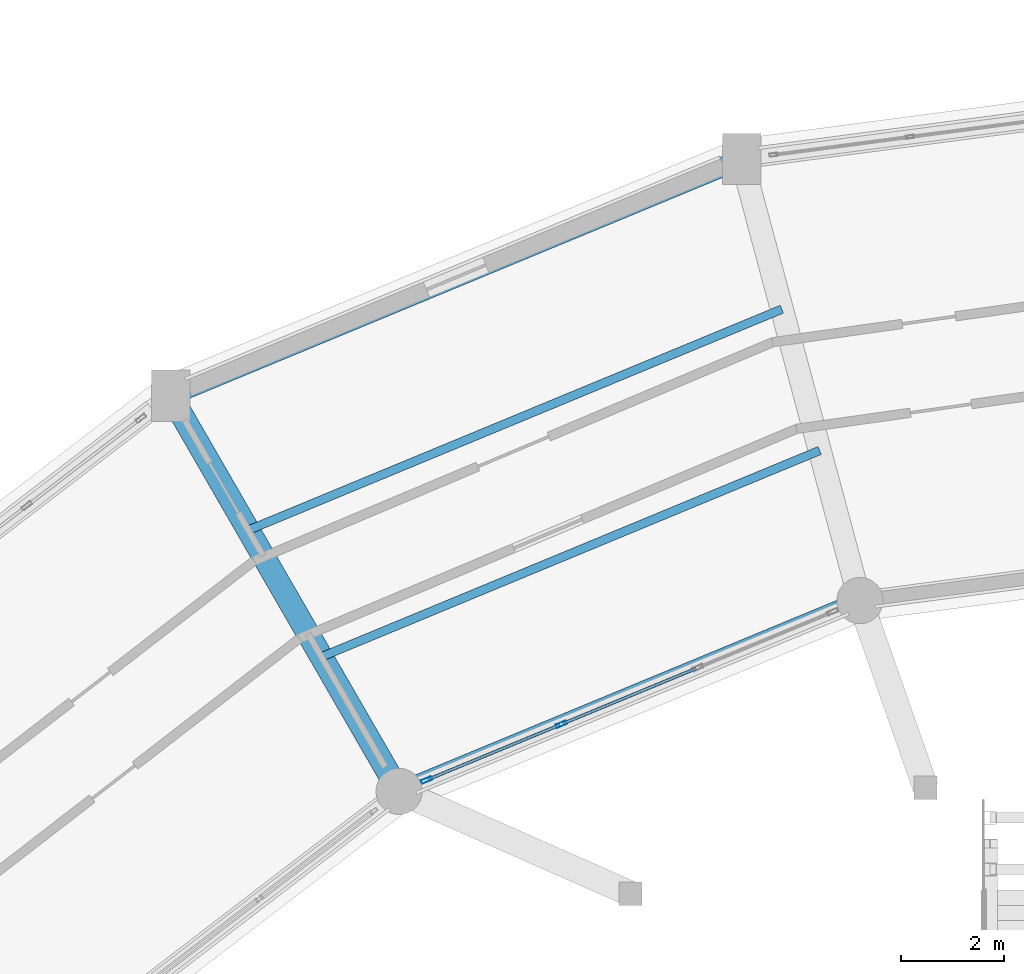
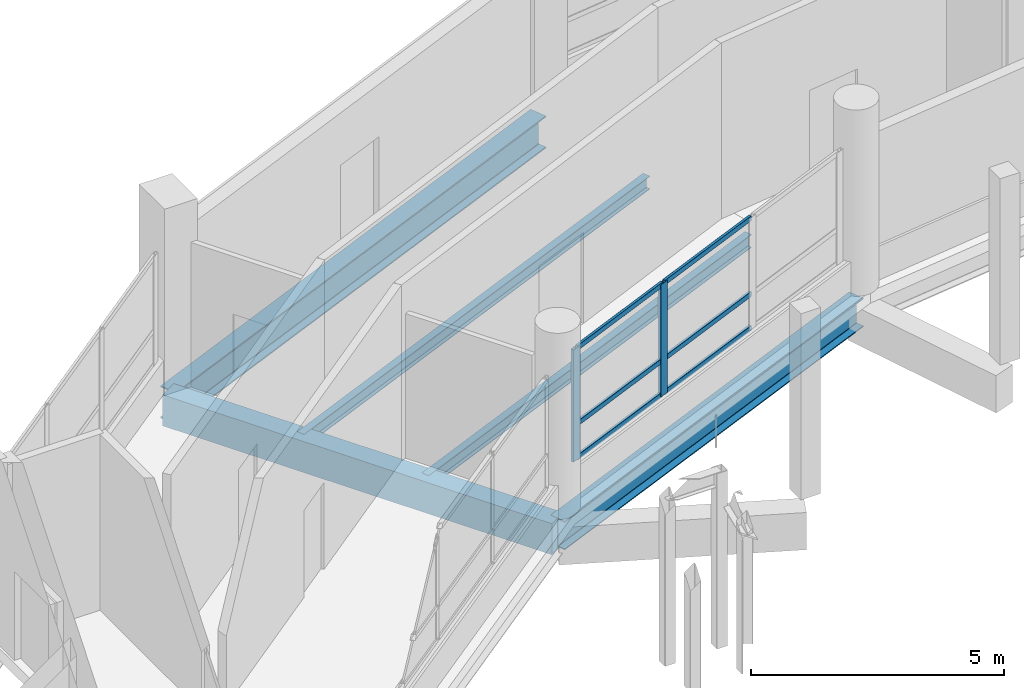
# One storey, part 55 of 129: 8 members, 5 beams, 1 element without a shape of its own.
"""IFC4 building model written with IfcOpenShell, lengths in metres."""

from ifc_helpers import new_model, si_unit, direction, frame, origin, origin_2d, place, context, subcontext, project, spatial, rectangle, hollow_rectangle, i_section, extrude, material, layer, layer_set, material_profile, profile_set, type_object, element, aggregate, save


model = new_model("IFC4")

# Units and contexts
model_context = context("Model", 3, precision=1e-05, world=origin(), true_north=direction((0.0, 1.0)))
body_context = subcontext(model_context, "Body", "Model", "MODEL_VIEW")
ifc_project = project(units=[si_unit("LENGTHUNIT", "METRE"), si_unit("AREAUNIT", "SQUARE_METRE"), si_unit("VOLUMEUNIT", "CUBIC_METRE"), si_unit("PLANEANGLEUNIT", "RADIAN"), si_unit("MASSUNIT", "GRAM", prefix="KILO")], contexts=[model_context])

# Site, building, storey
site_placement = place(None, origin())
site = spatial("IfcSite", under=ifc_project, at=site_placement, CompositionType="ELEMENT")
building_placement = place(site_placement, origin())
building = spatial("IfcBuilding", under=site, at=building_placement, Name="Vespera Passage Community Centre", CompositionType="ELEMENT")
storey_placement = place(building_placement, origin())
storey = spatial("IfcBuildingStorey", under=building, at=storey_placement, Name="L00", CompositionType="ELEMENT", Elevation=0.0)

# Beams
ifc_material_1 = material(Name="Concrete f'c 35 MPa", Category="concrete")
ifc_material_profile_1 = material_profile(ifc_material_1, rectangle(XDim=0.449951171875, YDim=0.75, at=origin_2d()), Name="RC450X750")
ifc_profile_set_1 = profile_set([ifc_material_profile_1], Name="Concrete f'c 35 MPa")
beam_type_1 = type_object("IfcBeamType", Name="BM-G-450X750", PredefinedType="BEAM", material=ifc_profile_set_1)
beam_1_placement = place(storey_placement, frame((59.39990234375, 97.716064453125, -0.655029296875), z_axis=(-0.499989191739, 0.866031643847, 0.0), x_axis=(-0.866031643847, -0.499989191739, 0.0)))
element("IfcBeam", 1, at=beam_1_placement, inside=storey, type_object=beam_type_1, Name="V4 L00 Radial Girder 8", PredefinedType="BEAM", context=body_context, shape_type="SweptSolid", body=[
    extrude(rectangle(XDim=0.449951171875, YDim=0.75, at=origin_2d()), origin(), (0.0, 0.0, 1.0), 8.900146484375),
])
ifc_material_2 = material(Name="Steel ASTM A992 Grade 50", Category="steel")
ifc_material_profile_2 = material_profile(ifc_material_2, i_section(OverallWidth=0.16650390625, OverallDepth=0.3173828125, WebThickness=0.007568359375, FlangeThickness=0.01318359375, FilletRadius=0.007568359375, at=origin_2d()), Name="W12X35")
ifc_profile_set_2 = profile_set([ifc_material_profile_2], Name="Steel ASTM A992 Grade 50")
beam_type_2 = type_object("IfcBeamType", Name="BM-J-W12X35", PredefinedType="JOIST", material=ifc_profile_set_2)
beam_2_placement = place(storey_placement, frame((67.588623046875, 104.355224609375, -0.438720703125), z_axis=(-0.92387968492, -0.382683064417, 0.0), x_axis=(0.382683064417, -0.92387968492, 0.0)))
element("IfcBeam", 2, at=beam_2_placement, inside=storey, type_object=beam_type_2, Name="V4 L00 Floor Joist 7.1", PredefinedType="JOIST", context=body_context, shape_type="SweptSolid", body=[
    extrude(i_section(OverallWidth=0.16650390625, OverallDepth=0.3173828125, WebThickness=0.007568359375, FlangeThickness=0.01318359375, FilletRadius=0.007568359375, at=origin_2d()), origin(), (0.0, 0.0, 1.0), 10.5009765625),
])
beam_3_placement = place(storey_placement, frame((66.8515625, 107.106201171875, -0.438720703125), z_axis=(-0.923884257257, -0.38267202562, 0.0), x_axis=(0.38267202562, -0.923884257257, 0.0)))
element("IfcBeam", 3, at=beam_3_placement, inside=storey, type_object=beam_type_2, Name="V4 L00 Floor Joist 7.2", PredefinedType="JOIST", context=body_context, shape_type="SweptSolid", body=[
    extrude(i_section(OverallWidth=0.16650390625, OverallDepth=0.3173828125, WebThickness=0.007568359375, FlangeThickness=0.01318359375, FilletRadius=0.007568359375, at=origin_2d()), origin(), (0.0, 0.0, 1.0), 11.24462890625),
])
ifc_material_3 = material(Name="Steel ASTM A992 Grade 50", Category="steel")
ifc_material_profile_3 = material_profile(ifc_material_3, i_section(OverallWidth=0.3544921875, OverallDepth=0.695556640625, WebThickness=0.015380859375, FlangeThickness=0.024658203125, FilletRadius=0.01513671875, at=origin_2d()), Name="W27X146")
ifc_profile_set_3 = profile_set([ifc_material_profile_3], Name="Steel ASTM A992 Grade 50")
beam_type_3 = type_object("IfcBeamType", Name="BM-SP-W27X146E", PredefinedType="SPANDREL", material=ifc_profile_set_3)
beam_4_placement = place(storey_placement, frame((68.371826171875, 101.432373046875, -0.627685546875), z_axis=(-0.923878947685, -0.382684844258, 0.0), x_axis=(0.382684844258, -0.923878947685, 0.0)))
element("IfcBeam", 4, at=beam_4_placement, inside=storey, type_object=beam_type_3, Name="V4 L00 Inner Spandrel 7", PredefinedType="SPANDREL", context=body_context, shape_type="SweptSolid", body=[
    extrude(i_section(OverallWidth=0.3544921875, OverallDepth=0.695556640625, WebThickness=0.015380859375, FlangeThickness=0.024658203125, FilletRadius=0.01513671875, at=origin_2d()), origin(), (0.0, 0.0, 1.0), 9.711181640625),
])
ifc_material_4 = material(Name="Steel ASTM A992 Grade 50", Category="steel")
ifc_material_profile_4 = material_profile(ifc_material_4, i_section(OverallWidth=0.382080078125, OverallDepth=0.779296875, WebThickness=0.01806640625, FlangeThickness=0.030029296875, FilletRadius=0.0166015625, at=origin_2d()), Name="W30X191")
ifc_profile_set_4 = profile_set([ifc_material_profile_4], Name="Steel ASTM A992 Grade 50")
beam_type_4 = type_object("IfcBeamType", Name="BM-SP-W30X191E", PredefinedType="SPANDREL", material=ifc_profile_set_4)
beam_5_placement = place(storey_placement, frame((66.068359375, 110.029296875, -0.669677734375), z_axis=(-0.923877379647, -0.382688629799, 0.0), x_axis=(0.382688629799, -0.923877379647, 0.0)))
element("IfcBeam", 5, at=beam_5_placement, inside=storey, type_object=beam_type_4, Name="V4 L00 Outer Spandrel 7", PredefinedType="SPANDREL", context=body_context, shape_type="SweptSolid", body=[
    extrude(i_section(OverallWidth=0.382080078125, OverallDepth=0.779296875, WebThickness=0.01806640625, FlangeThickness=0.030029296875, FilletRadius=0.0166015625, at=origin_2d()), origin(), (0.0, 0.0, 1.0), 12.034423828125),
])

# Curtain wall, members
ifc_material_5 = material(Name="Anodized aluminium 6063-T6", Category="aluminium")
ifc_layer = layer(ifc_material_5, 0.159912109375)
ifc_layer_set = layer_set([ifc_layer], Name="Anodized aluminium 6063-T6")
curtain_wall_type = type_object("IfcCurtainWallType", Name="CW-02E", PredefinedType="NOTDEFINED", material=ifc_layer_set)
curtain_wall_placement = place(storey_placement, origin())
curtain_wall = element("IfcCurtainWall", 6, at=curtain_wall_placement, inside=storey, type_object=curtain_wall_type, Name="V4 L00 Inner Court Curtain Wall 7", PredefinedType="NOTDEFINED")
ifc_material_6 = material(Name="Anodized aluminium 6063-T6", Category="aluminium")
ifc_material_profile_5 = material_profile(ifc_material_6, hollow_rectangle(XDim=0.074951171875, YDim=0.2099609375, WallThickness=0.0048828125, InnerFilletRadius=0.00244140625, OuterFilletRadius=0.0048828125, at=origin_2d()), Name="ALU210X75X5")
ifc_profile_set_5 = profile_set([ifc_material_profile_5], Name="Anodized aluminium 6063-T6")
member_type_1 = type_object("IfcMemberType", Name="MB-CWM-210E", PredefinedType="MULLION", material=ifc_profile_set_5)
member_1_placement = place(storey_placement, frame((62.556884765625, 99.023681640625, 0.820068359375), z_axis=(0.0, 0.0, 1.0), x_axis=(0.382690463482, -0.923876620096, 0.0)))
member_1 = element("IfcMember", 7, at=member_1_placement, type_object=member_type_1, Name="CW-02E mullion 3", PredefinedType="MULLION", context=body_context, shape_type="SweptSolid", body=[
    extrude(hollow_rectangle(XDim=0.074951171875, YDim=0.2099609375, WallThickness=0.0048828125, InnerFilletRadius=0.00244140625, OuterFilletRadius=0.0048828125, at=origin_2d()), origin(), (0.0, 0.0, 1.0), 2.709228515625),
])
member_2_placement = place(storey_placement, frame((59.933349609375, 97.93701171875, 0.820068359375), z_axis=(0.0, 0.0, 1.0), x_axis=(0.382690463482, -0.923876620096, 0.0)))
member_2 = element("IfcMember", 8, at=member_2_placement, type_object=member_type_1, Name="CW-02E mullion 4", PredefinedType="MULLION", context=body_context, shape_type="SweptSolid", body=[
    extrude(hollow_rectangle(XDim=0.074951171875, YDim=0.2099609375, WallThickness=0.0048828125, InnerFilletRadius=0.00244140625, OuterFilletRadius=0.0048828125, at=origin_2d()), origin(), (0.0, 0.0, 1.0), 2.709228515625),
])
ifc_material_7 = material(Name="Anodized aluminium 6063-T6", Category="aluminium")
ifc_material_profile_6 = material_profile(ifc_material_7, hollow_rectangle(XDim=0.06005859375, YDim=0.1201171875, WallThickness=0.00390625, InnerFilletRadius=0.001953125, OuterFilletRadius=0.00390625, at=origin_2d()), Name="ALU120X60X4")
ifc_profile_set_6 = profile_set([ifc_material_profile_6], Name="Anodized aluminium 6063-T6")
member_type_2 = type_object("IfcMemberType", Name="MB-CWT-120E", PredefinedType="USERDEFINED", material=ifc_profile_set_6)
member_3_placement = place(storey_placement, frame((65.180419921875, 100.1103515625, 0.85009765625), z_axis=(-0.923889408399, -0.382659588994, 0.0), x_axis=(0.382659588994, -0.923889408399, 0.0)))
member_3 = element("IfcMember", 9, at=member_3_placement, type_object=member_type_2, Name="CW-02E transom 2.1", ObjectType="TRANSOM", PredefinedType="USERDEFINED", context=body_context, shape_type="SweptSolid", body=[
    extrude(hollow_rectangle(XDim=0.06005859375, YDim=0.1201171875, WallThickness=0.00390625, InnerFilletRadius=0.001953125, OuterFilletRadius=0.00390625, at=origin_2d()), origin(), (0.0, 0.0, 1.0), 2.80224609375),
])
member_4_placement = place(storey_placement, frame((65.180419921875, 100.1103515625, 1.669921875), z_axis=(-0.923889408399, -0.382659588994, 0.0), x_axis=(0.382659588994, -0.923889408399, 0.0)))
member_4 = element("IfcMember", 10, at=member_4_placement, type_object=member_type_2, Name="CW-02E transom 2.2", ObjectType="TRANSOM", PredefinedType="USERDEFINED", context=body_context, shape_type="SweptSolid", body=[
    extrude(hollow_rectangle(XDim=0.06005859375, YDim=0.1201171875, WallThickness=0.00390625, InnerFilletRadius=0.001953125, OuterFilletRadius=0.00390625, at=origin_2d()), origin(), (0.0, 0.0, 1.0), 2.80224609375),
])
member_5_placement = place(storey_placement, frame((65.180419921875, 100.1103515625, 3.49951171875), z_axis=(-0.923889408399, -0.382659588994, 0.0), x_axis=(0.382659588994, -0.923889408399, 0.0)))
member_5 = element("IfcMember", 11, at=member_5_placement, type_object=member_type_2, Name="CW-02E transom 2.3", ObjectType="TRANSOM", PredefinedType="USERDEFINED", context=body_context, shape_type="SweptSolid", body=[
    extrude(hollow_rectangle(XDim=0.06005859375, YDim=0.1201171875, WallThickness=0.00390625, InnerFilletRadius=0.001953125, OuterFilletRadius=0.00390625, at=origin_2d()), origin(), (0.0, 0.0, 1.0), 2.80224609375),
])
member_6_placement = place(storey_placement, frame((62.522216796875, 99.00927734375, 0.85009765625), z_axis=(-0.923908142805, -0.382614353701, 0.0), x_axis=(0.382614353701, -0.923908142805, 0.0)))
member_6 = element("IfcMember", 12, at=member_6_placement, type_object=member_type_2, Name="CW-02E transom 3.1", ObjectType="TRANSOM", PredefinedType="USERDEFINED", context=body_context, shape_type="SweptSolid", body=[
    extrude(hollow_rectangle(XDim=0.06005859375, YDim=0.1201171875, WallThickness=0.00390625, InnerFilletRadius=0.001953125, OuterFilletRadius=0.00390625, at=origin_2d()), origin(), (0.0, 0.0, 1.0), 2.764892578125),
])
member_7_placement = place(storey_placement, frame((62.522216796875, 99.00927734375, 1.669921875), z_axis=(-0.923908142805, -0.382614353701, 0.0), x_axis=(0.382614353701, -0.923908142805, 0.0)))
member_7 = element("IfcMember", 13, at=member_7_placement, type_object=member_type_2, Name="CW-02E transom 3.2", ObjectType="TRANSOM", PredefinedType="USERDEFINED", context=body_context, shape_type="SweptSolid", body=[
    extrude(hollow_rectangle(XDim=0.06005859375, YDim=0.1201171875, WallThickness=0.00390625, InnerFilletRadius=0.001953125, OuterFilletRadius=0.00390625, at=origin_2d()), origin(), (0.0, 0.0, 1.0), 2.764892578125),
])
member_8_placement = place(storey_placement, frame((62.522216796875, 99.00927734375, 3.49951171875), z_axis=(-0.923908142805, -0.382614353701, 0.0), x_axis=(0.382614353701, -0.923908142805, 0.0)))
member_8 = element("IfcMember", 14, at=member_8_placement, type_object=member_type_2, Name="CW-02E transom 3.3", ObjectType="TRANSOM", PredefinedType="USERDEFINED", context=body_context, shape_type="SweptSolid", body=[
    extrude(hollow_rectangle(XDim=0.06005859375, YDim=0.1201171875, WallThickness=0.00390625, InnerFilletRadius=0.001953125, OuterFilletRadius=0.00390625, at=origin_2d()), origin(), (0.0, 0.0, 1.0), 2.764892578125),
])
aggregate(curtain_wall, [member_1, member_2, member_3, member_4, member_5, member_6, member_7, member_8])

save(model, "model.ifc")
